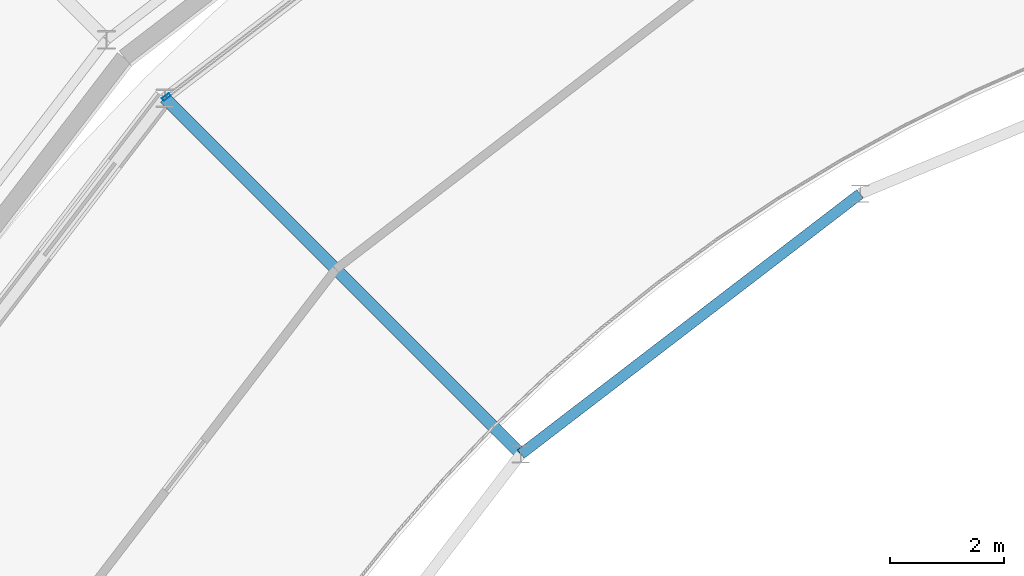
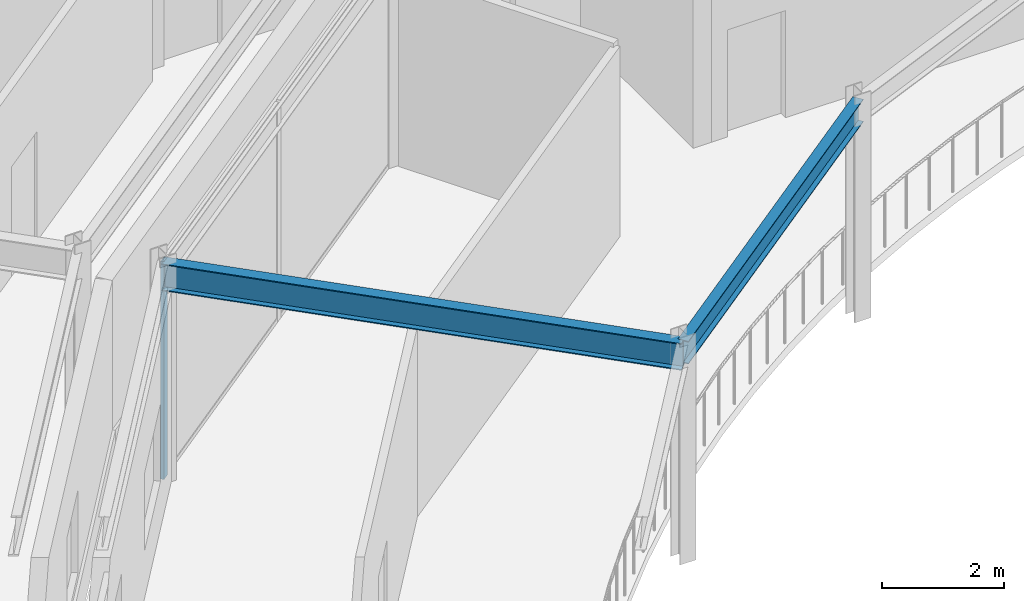
# One storey, part 53 of 133: 2 beams, 1 member, 1 element without a shape of its own.
"""IFC4 building model written with IfcOpenShell, lengths in metres."""

from ifc_helpers import new_model, si_unit, direction, frame, origin, origin_2d, place, context, subcontext, project, spatial, hollow_rectangle, i_section, extrude, material, material_profile, profile_set, type_object, element, aggregate, save


model = new_model("IFC4")

# Units and contexts
model_context = context("Model", 3, precision=1e-05, world=origin(), true_north=direction((0.0, 1.0)))
body_context = subcontext(model_context, "Body", "Model", "MODEL_VIEW")
ifc_project = project(units=[si_unit("LENGTHUNIT", "METRE"), si_unit("AREAUNIT", "SQUARE_METRE"), si_unit("VOLUMEUNIT", "CUBIC_METRE"), si_unit("PLANEANGLEUNIT", "RADIAN"), si_unit("MASSUNIT", "GRAM", prefix="KILO")], contexts=[model_context])

# Site, building, storey
site_placement = place(None, origin())
site = spatial("IfcSite", under=ifc_project, at=site_placement, CompositionType="ELEMENT")
building_placement = place(site_placement, origin())
building = spatial("IfcBuilding", under=site, at=building_placement, Name="Almandine Court Research Institute", CompositionType="ELEMENT")
storey_placement = place(building_placement, frame((0.0, 0.0, 9.800048828125)))
storey = spatial("IfcBuildingStorey", under=building, at=storey_placement, Name="L02", CompositionType="ELEMENT", Elevation=9.800048828125)

# Beams
ifc_material_1 = material(Name="Steel ASTM A992 Grade 50", Category="steel")
ifc_material_profile_1 = material_profile(ifc_material_1, i_section(OverallWidth=0.18994140625, OverallDepth=0.45703125, WebThickness=0.009033203125, FlangeThickness=0.014892578125, at=origin_2d()), Name="W460x74")
ifc_profile_set_1 = profile_set([ifc_material_profile_1], Name="Steel ASTM A992 Grade 50")
beam_type_1 = type_object("IfcBeamType", Name="Beam-B-01", PredefinedType="BEAM", material=ifc_profile_set_1)
beam_1_placement = place(storey_placement, frame((72.60009765625, 80.94189453125, 4.140869140625), z_axis=(-0.793370595297, -0.608738941187, 0.0), x_axis=(0.608738941187, -0.793370595297, 0.0)))
element("IfcBeam", 1, at=beam_1_placement, inside=storey, type_object=beam_type_1, Name="L02 Atrium Gallery Edge Beam", PredefinedType="BEAM", context=body_context, shape_type="SweptSolid", body=[
    extrude(i_section(OverallWidth=0.18994140625, OverallDepth=0.45703125, WebThickness=0.009033203125, FlangeThickness=0.014892578125, at=origin_2d()), origin(), (0.0, 0.0, 1.0), 7.5185546875),
])
ifc_material_profile_2 = material_profile(ifc_material_1, i_section(OverallWidth=0.2109375, OverallDepth=0.5390625, WebThickness=0.011962890625, FlangeThickness=0.01904296875, at=origin_2d()), Name="W530x109")
ifc_profile_set_2 = profile_set([ifc_material_profile_2], Name="Steel ASTM A992 Grade 50")
beam_type_2 = type_object("IfcBeamType", Name="Beam-G-04", PredefinedType="BEAM", material=ifc_profile_set_2)
beam_2_placement = place(storey_placement, frame((66.635009765625, 76.364990234375, 4.099853515625), z_axis=(-0.707106781187, 0.707106781187, 0.0), x_axis=(-0.707106781187, -0.707106781187, 0.0)))
element("IfcBeam", 2, at=beam_2_placement, inside=storey, type_object=beam_type_2, Name="L02 Atrium Gallery Radial Girder", PredefinedType="BEAM", context=body_context, shape_type="SweptSolid", body=[
    extrude(i_section(OverallWidth=0.2109375, OverallDepth=0.5390625, WebThickness=0.011962890625, FlangeThickness=0.01904296875, at=origin_2d()), origin(), (0.0, 0.0, 1.0), 8.850341796875),
])

# Curtain wall, member
ifc_material_2 = material(Name="Unitised Curtain Wall Framing and Solar Glazing", Category="glass")
curtain_wall_type = type_object("IfcCurtainWallType", Name="CW-CWG-24", PredefinedType="USERDEFINED", material=ifc_material_2)
curtain_wall_placement = place(storey_placement, origin())
curtain_wall = element("IfcCurtainWall", 3, at=curtain_wall_placement, inside=storey, type_object=curtain_wall_type, Name="L02 Interaction Atrium Perimeter Curtain Wall 08", ObjectType="UNITISED GLAZING", PredefinedType="USERDEFINED")
ifc_material_3 = material(Name="Anodised Aluminium AW-6063-T6", Category="aluminium")
ifc_material_profile_3 = material_profile(ifc_material_3, hollow_rectangle(XDim=0.06005859375, YDim=0.14990234375, WallThickness=0.00390625, at=origin_2d()), Name="ALU RHS 60x150x4")
ifc_profile_set_3 = profile_set([ifc_material_profile_3], Name="Anodised Aluminium AW-6063-T6")
member_type = type_object("IfcMemberType", Name="CWMul-60x150", PredefinedType="MULLION", material=ifc_profile_set_3)
member_placement = place(storey_placement, frame((60.40380859375, 82.643310546875, 0.0), z_axis=(0.0, 0.0, 1.0), x_axis=(-0.608760667029, 0.793353924979, 0.0)))
member = element("IfcMember", 4, at=member_placement, type_object=member_type, Name="CWG-24 mullion 1", PredefinedType="MULLION", context=body_context, shape_type="SweptSolid", body=[
    extrude(hollow_rectangle(XDim=0.06005859375, YDim=0.14990234375, WallThickness=0.00390625, at=origin_2d()), origin(), (0.0, 0.0, 1.0), 4.369873046875),
])
aggregate(curtain_wall, [member])

save(model, "model.ifc")
